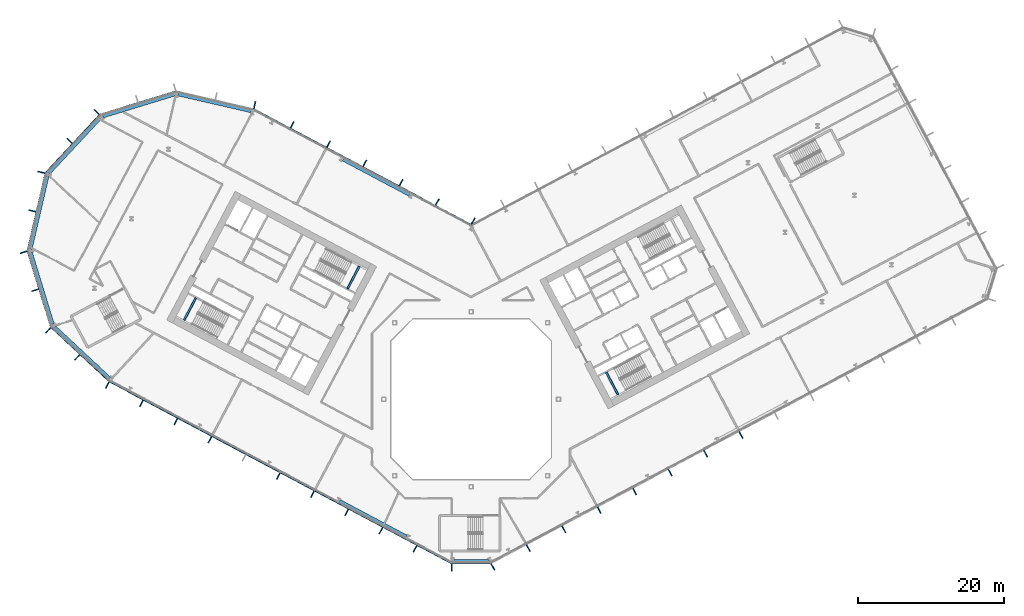
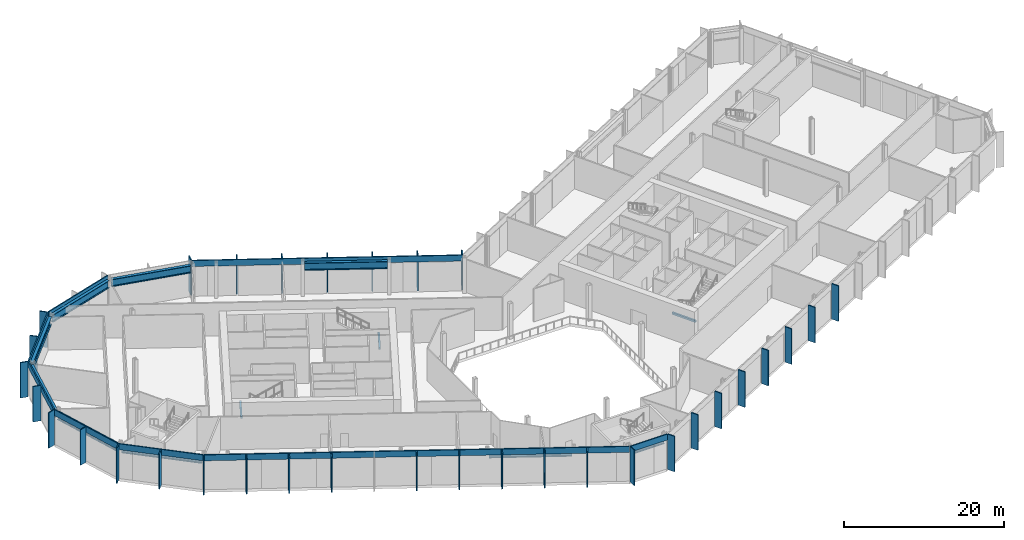
# One storey, part 6 of 32: 41 members, 12 beams, 10 elements without a shape of their own.
"""IFC4 building model written with IfcOpenShell, lengths in metres."""

from ifc_helpers import new_model, si_unit, direction, frame, origin, origin_2d, place, context, subcontext, project, spatial, rectangle, i_section, extrude, material, layer, layer_set, material_profile, profile_set, type_object, element, aggregate, save


model = new_model("IFC4")

# Units and contexts
model_context = context("Model", 3, precision=1e-05, world=origin(), true_north=direction((0.0, 1.0)))
body_context = subcontext(model_context, "Body", "Model", "MODEL_VIEW")
ifc_project = project(units=[si_unit("LENGTHUNIT", "METRE"), si_unit("AREAUNIT", "SQUARE_METRE"), si_unit("VOLUMEUNIT", "CUBIC_METRE"), si_unit("PLANEANGLEUNIT", "RADIAN"), si_unit("MASSUNIT", "GRAM", prefix="KILO")], contexts=[model_context])

# Site, building, storey
site_placement = place(None, origin())
site = spatial("IfcSite", under=ifc_project, at=site_placement, CompositionType="ELEMENT")
building_placement = place(site_placement, origin())
building = spatial("IfcBuilding", under=site, at=building_placement, Name="Cormorant Relay Tower", CompositionType="ELEMENT")
storey_placement = place(building_placement, frame((0.0, 0.0, 60.800048828125)))
storey = spatial("IfcBuildingStorey", under=building, at=storey_placement, Name="L11", CompositionType="ELEMENT", Elevation=60.800048828125)

# Curtain wall, member
ifc_material_1 = material(Name="Aluminium 6063-T6 anodised bronze", Category="aluminium")
ifc_layer = layer(ifc_material_1, 0.235107421875)
ifc_layer_set = layer_set([ifc_layer], Name="CW6 data hall curtain wall with mineral wool panels")
curtain_wall_type = type_object("IfcCurtainWallType", Name="CW6 data hall curtain wall with mineral wool panels", PredefinedType="NOTDEFINED", material=ifc_layer_set)
curtain_wall_1_placement = place(storey_placement, origin())
curtain_wall_1 = element("IfcCurtainWall", 1, at=curtain_wall_1_placement, inside=storey, type_object=curtain_wall_type, Name="CW6 curtain wall 1", PredefinedType="NOTDEFINED")
ifc_material_2 = material(Name="Aluminium 6063-T6 anodised bronze", Category="aluminium")
ifc_material_profile_1 = material_profile(ifc_material_2, rectangle(XDim=0.14990234375, YDim=1.0, at=origin_2d()), Name="AL 150x1000")
ifc_profile_set_1 = profile_set([ifc_material_profile_1], Name="Aluminium 6063-T6 anodised bronze")
member_type_1 = type_object("IfcMemberType", Name="CW6 bronze fin mullion 150 x 1000", PredefinedType="MULLION", material=ifc_profile_set_1)
member_1_placement = place(storey_placement, frame((-2.648681640625, -23.110595703125, 0.0), z_axis=(0.0, 0.0, 1.0), x_axis=(1.0, 0.0, 0.0)))
member_1 = element("IfcMember", 2, at=member_1_placement, type_object=member_type_1, Name="CW6 fin 1.1", PredefinedType="MULLION", context=body_context, shape_type="SweptSolid", body=[
    extrude(rectangle(XDim=0.14990234375, YDim=1.0, at=origin_2d()), origin(), (0.0, 0.0, 1.0), 5.39990234375),
])

# Curtain wall, members
curtain_wall_2_placement = place(storey_placement, origin())
curtain_wall_2 = element("IfcCurtainWall", 3, at=curtain_wall_2_placement, inside=storey, type_object=curtain_wall_type, Name="CW6 curtain wall 2", PredefinedType="NOTDEFINED")
member_2_placement = place(storey_placement, frame((2.993896484375, -23.0244140625, 0.0), z_axis=(0.0, 0.0, 1.0), x_axis=(0.882947592859, 0.469471562786, 0.0)))
member_2 = element("IfcMember", 4, at=member_2_placement, type_object=member_type_1, Name="CW6 fin 2.1", PredefinedType="MULLION", context=body_context, shape_type="SweptSolid", body=[
    extrude(rectangle(XDim=0.14990234375, YDim=1.0, at=origin_2d()), origin(), (0.0, 0.0, 1.0), 5.39990234375),
])
member_3_placement = place(storey_placement, frame((7.860595703125, -20.43701171875, 0.0), z_axis=(0.0, 0.0, 1.0), x_axis=(0.882947592859, 0.469471562786, 0.0)))
member_3 = element("IfcMember", 5, at=member_3_placement, type_object=member_type_1, Name="CW6 fin 2.2", PredefinedType="MULLION", context=body_context, shape_type="SweptSolid", body=[
    extrude(rectangle(XDim=0.14990234375, YDim=1.0, at=origin_2d()), origin(), (0.0, 0.0, 1.0), 5.39990234375),
])
member_4_placement = place(storey_placement, frame((12.727294921875, -17.84912109375, 0.0), z_axis=(0.0, 0.0, 1.0), x_axis=(0.882947592859, 0.469471562786, 0.0)))
member_4 = element("IfcMember", 6, at=member_4_placement, type_object=member_type_1, Name="CW6 fin 2.3", PredefinedType="MULLION", context=body_context, shape_type="SweptSolid", body=[
    extrude(rectangle(XDim=0.14990234375, YDim=1.0, at=origin_2d()), origin(), (0.0, 0.0, 1.0), 5.39990234375),
])
member_5_placement = place(storey_placement, frame((17.593994140625, -15.26171875, 0.0), z_axis=(0.0, 0.0, 1.0), x_axis=(0.882947592859, 0.469471562786, 0.0)))
member_5 = element("IfcMember", 7, at=member_5_placement, type_object=member_type_1, Name="CW6 fin 2.4", PredefinedType="MULLION", context=body_context, shape_type="SweptSolid", body=[
    extrude(rectangle(XDim=0.14990234375, YDim=1.0, at=origin_2d()), origin(), (0.0, 0.0, 1.0), 5.39990234375),
])
member_6_placement = place(storey_placement, frame((22.460693359375, -12.673828125, 0.0), z_axis=(0.0, 0.0, 1.0), x_axis=(0.882947592859, 0.469471562786, 0.0)))
member_6 = element("IfcMember", 8, at=member_6_placement, type_object=member_type_1, Name="CW6 fin 2.5", PredefinedType="MULLION", context=body_context, shape_type="SweptSolid", body=[
    extrude(rectangle(XDim=0.14990234375, YDim=1.0, at=origin_2d()), origin(), (0.0, 0.0, 1.0), 5.39990234375),
])
member_7_placement = place(storey_placement, frame((27.327392578125, -10.086181640625, 0.0), z_axis=(0.0, 0.0, 1.0), x_axis=(0.882947592859, 0.469471562786, 0.0)))
member_7 = element("IfcMember", 9, at=member_7_placement, type_object=member_type_1, Name="CW6 fin 2.6", PredefinedType="MULLION", context=body_context, shape_type="SweptSolid", body=[
    extrude(rectangle(XDim=0.14990234375, YDim=1.0, at=origin_2d()), origin(), (0.0, 0.0, 1.0), 5.39990234375),
])
member_8_placement = place(storey_placement, frame((32.194091796875, -7.49853515625, 0.0), z_axis=(0.0, 0.0, 1.0), x_axis=(0.882947592859, 0.469471562786, 0.0)))
member_8 = element("IfcMember", 10, at=member_8_placement, type_object=member_type_1, Name="CW6 fin 2.7", PredefinedType="MULLION", context=body_context, shape_type="SweptSolid", body=[
    extrude(rectangle(XDim=0.14990234375, YDim=1.0, at=origin_2d()), origin(), (0.0, 0.0, 1.0), 5.39990234375),
])
member_9_placement = place(storey_placement, frame((37.060546875, -4.910888671875, 0.0), z_axis=(0.0, 0.0, 1.0), x_axis=(0.882947592859, 0.469471562786, 0.0)))
member_9 = element("IfcMember", 11, at=member_9_placement, type_object=member_type_1, Name="CW6 fin 2.8", PredefinedType="MULLION", context=body_context, shape_type="SweptSolid", body=[
    extrude(rectangle(XDim=0.14990234375, YDim=1.0, at=origin_2d()), origin(), (0.0, 0.0, 1.0), 5.39990234375),
])
aggregate(curtain_wall_2, [member_2, member_3, member_4, member_5, member_6, member_7, member_8, member_9])

curtain_wall_3_placement = place(storey_placement, origin())
curtain_wall_3 = element("IfcCurtainWall", 12, at=curtain_wall_3_placement, inside=storey, type_object=curtain_wall_type, Name="CW6 curtain wall 7", PredefinedType="NOTDEFINED")
member_10_placement = place(storey_placement, frame((0.27880859375, 24.468017578125, 0.0), z_axis=(0.0, 0.0, 1.0), x_axis=(-0.882947592859, 0.469471562786, 0.0)))
member_10 = element("IfcMember", 13, at=member_10_placement, type_object=member_type_1, Name="CW6 fin 7.1", PredefinedType="MULLION", context=body_context, shape_type="SweptSolid", body=[
    extrude(rectangle(XDim=0.14990234375, YDim=1.0, at=origin_2d()), origin(), (0.0, 0.0, 1.0), 5.39990234375),
])
member_11_placement = place(storey_placement, frame((-4.6337890625, 27.080322265625, 0.0), z_axis=(0.0, 0.0, 1.0), x_axis=(-0.882947592859, 0.469471562786, 0.0)))
member_11 = element("IfcMember", 14, at=member_11_placement, type_object=member_type_1, Name="CW6 fin 7.2", PredefinedType="MULLION", context=body_context, shape_type="SweptSolid", body=[
    extrude(rectangle(XDim=0.14990234375, YDim=1.0, at=origin_2d()), origin(), (0.0, 0.0, 1.0), 5.39990234375),
])
member_12_placement = place(storey_placement, frame((-9.61279296875, 29.727783203125, 0.0), z_axis=(0.0, 0.0, 1.0), x_axis=(-0.882947592859, 0.469471562786, 0.0)))
member_12 = element("IfcMember", 15, at=member_12_placement, type_object=member_type_1, Name="CW6 fin 7.3", PredefinedType="MULLION", context=body_context, shape_type="SweptSolid", body=[
    extrude(rectangle(XDim=0.14990234375, YDim=1.0, at=origin_2d()), origin(), (0.0, 0.0, 1.0), 5.39990234375),
])
member_13_placement = place(storey_placement, frame((-14.591796875, 32.375, 0.0), z_axis=(0.0, 0.0, 1.0), x_axis=(-0.882947592859, 0.469471562786, 0.0)))
member_13 = element("IfcMember", 16, at=member_13_placement, type_object=member_type_1, Name="CW6 fin 7.4", PredefinedType="MULLION", context=body_context, shape_type="SweptSolid", body=[
    extrude(rectangle(XDim=0.14990234375, YDim=1.0, at=origin_2d()), origin(), (0.0, 0.0, 1.0), 5.39990234375),
])
member_14_placement = place(storey_placement, frame((-19.57080078125, 35.0224609375, 0.0), z_axis=(0.0, 0.0, 1.0), x_axis=(-0.882947592859, 0.469471562786, 0.0)))
member_14 = element("IfcMember", 17, at=member_14_placement, type_object=member_type_1, Name="CW6 fin 7.5", PredefinedType="MULLION", context=body_context, shape_type="SweptSolid", body=[
    extrude(rectangle(XDim=0.14990234375, YDim=1.0, at=origin_2d()), origin(), (0.0, 0.0, 1.0), 5.39990234375),
])
member_15_placement = place(storey_placement, frame((-24.5498046875, 37.669677734375, 0.0), z_axis=(0.0, 0.0, 1.0), x_axis=(-0.882947592859, 0.469471562786, 0.0)))
member_15 = element("IfcMember", 18, at=member_15_placement, type_object=member_type_1, Name="CW6 fin 7.6", PredefinedType="MULLION", context=body_context, shape_type="SweptSolid", body=[
    extrude(rectangle(XDim=0.14990234375, YDim=1.0, at=origin_2d()), origin(), (0.0, 0.0, 1.0), 5.39990234375),
])

# Curtain wall, member
curtain_wall_4_placement = place(storey_placement, origin())
curtain_wall_4 = element("IfcCurtainWall", 19, at=curtain_wall_4_placement, inside=storey, type_object=curtain_wall_type, Name="CW6 curtain wall 8", PredefinedType="NOTDEFINED")
member_16_placement = place(storey_placement, frame((-29.70849609375, 40.38427734375, 0.0), z_axis=(0.0, 0.0, 1.0), x_axis=(-0.974370064785, 0.224951054344, 0.0)))
member_16 = element("IfcMember", 20, at=member_16_placement, type_object=member_type_1, Name="CW6 fin 8.1", PredefinedType="MULLION", context=body_context, shape_type="SweptSolid", body=[
    extrude(rectangle(XDim=0.14990234375, YDim=1.0, at=origin_2d()), origin(), (0.0, 0.0, 1.0), 5.39990234375),
])
aggregate(curtain_wall_4, [member_16])

# Curtain wall, members
curtain_wall_5_placement = place(storey_placement, origin())
curtain_wall_5 = element("IfcCurtainWall", 21, at=curtain_wall_5_placement, inside=storey, type_object=curtain_wall_type, Name="CW6 curtain wall 10", PredefinedType="NOTDEFINED")
member_17_placement = place(storey_placement, frame((-51.3984375, 39.4365234375, 0.0), z_axis=(0.0, 0.0, 1.0), x_axis=(-0.681998360062, -0.731353701619, 0.0)))
member_17 = element("IfcMember", 22, at=member_17_placement, type_object=member_type_1, Name="CW6 fin 10.1", PredefinedType="MULLION", context=body_context, shape_type="SweptSolid", body=[
    extrude(rectangle(XDim=0.14990234375, YDim=1.0, at=origin_2d()), origin(), (0.0, 0.0, 1.0), 5.39990234375),
])
member_18_placement = place(storey_placement, frame((-55.105224609375, 35.46142578125, 0.0), z_axis=(0.0, 0.0, 1.0), x_axis=(-0.681998360062, -0.731353701619, 0.0)))
member_18 = element("IfcMember", 23, at=member_18_placement, type_object=member_type_1, Name="CW6 fin 10.2", PredefinedType="MULLION", context=body_context, shape_type="SweptSolid", body=[
    extrude(rectangle(XDim=0.14990234375, YDim=1.0, at=origin_2d()), origin(), (0.0, 0.0, 1.0), 5.39990234375),
])

curtain_wall_6_placement = place(storey_placement, origin())
curtain_wall_6 = element("IfcCurtainWall", 24, at=curtain_wall_6_placement, inside=storey, type_object=curtain_wall_type, Name="CW6 curtain wall 11", PredefinedType="NOTDEFINED")
member_19_placement = place(storey_placement, frame((-58.99072265625, 31.150390625, 0.0), z_axis=(0.0, 0.0, 1.0), x_axis=(-0.224951054344, -0.974370064785, 0.0)))
member_19 = element("IfcMember", 25, at=member_19_placement, type_object=member_type_1, Name="CW6 fin 11.1", PredefinedType="MULLION", context=body_context, shape_type="SweptSolid", body=[
    extrude(rectangle(XDim=0.14990234375, YDim=1.0, at=origin_2d()), origin(), (0.0, 0.0, 1.0), 5.39990234375),
])
member_20_placement = place(storey_placement, frame((-60.21337890625, 25.8544921875, 0.0), z_axis=(0.0, 0.0, 1.0), x_axis=(-0.224951054344, -0.974370064785, 0.0)))
member_20 = element("IfcMember", 26, at=member_20_placement, type_object=member_type_1, Name="CW6 fin 11.2", PredefinedType="MULLION", context=body_context, shape_type="SweptSolid", body=[
    extrude(rectangle(XDim=0.14990234375, YDim=1.0, at=origin_2d()), origin(), (0.0, 0.0, 1.0), 5.39990234375),
])

curtain_wall_7_placement = place(storey_placement, origin())
curtain_wall_7 = element("IfcCurtainWall", 27, at=curtain_wall_7_placement, inside=storey, type_object=curtain_wall_type, Name="CW6 curtain wall 12", PredefinedType="NOTDEFINED")
member_21_placement = place(storey_placement, frame((-61.422607421875, 20.178466796875, 0.0), z_axis=(0.0, 0.0, 1.0), x_axis=(0.292371704723, -0.956304755963, 0.0)))
member_21 = element("IfcMember", 28, at=member_21_placement, type_object=member_type_1, Name="CW6 fin 12.1", PredefinedType="MULLION", context=body_context, shape_type="SweptSolid", body=[
    extrude(rectangle(XDim=0.14990234375, YDim=1.0, at=origin_2d()), origin(), (0.0, 0.0, 1.0), 5.39990234375),
])
member_22_placement = place(storey_placement, frame((-59.83349609375, 14.980712890625, 0.0), z_axis=(0.0, 0.0, 1.0), x_axis=(0.292371704723, -0.956304755963, 0.0)))
member_22 = element("IfcMember", 29, at=member_22_placement, type_object=member_type_1, Name="CW6 fin 12.2", PredefinedType="MULLION", context=body_context, shape_type="SweptSolid", body=[
    extrude(rectangle(XDim=0.14990234375, YDim=1.0, at=origin_2d()), origin(), (0.0, 0.0, 1.0), 5.39990234375),
])

curtain_wall_8_placement = place(storey_placement, origin())
curtain_wall_8 = element("IfcCurtainWall", 30, at=curtain_wall_8_placement, inside=storey, type_object=curtain_wall_type, Name="CW6 curtain wall 13", PredefinedType="NOTDEFINED")
member_23_placement = place(storey_placement, frame((-58.04296875, 9.46044921875, 0.0), z_axis=(0.0, 0.0, 1.0), x_axis=(0.731353701619, -0.681998360062, 0.0)))
member_23 = element("IfcMember", 31, at=member_23_placement, type_object=member_type_1, Name="CW6 fin 13.1", PredefinedType="MULLION", context=body_context, shape_type="SweptSolid", body=[
    extrude(rectangle(XDim=0.14990234375, YDim=1.0, at=origin_2d()), origin(), (0.0, 0.0, 1.0), 5.39990234375),
])
member_24_placement = place(storey_placement, frame((-54.06787109375, 5.753662109375, 0.0), z_axis=(0.0, 0.0, 1.0), x_axis=(0.731353701619, -0.681998360062, 0.0)))
member_24 = element("IfcMember", 32, at=member_24_placement, type_object=member_type_1, Name="CW6 fin 13.2", PredefinedType="MULLION", context=body_context, shape_type="SweptSolid", body=[
    extrude(rectangle(XDim=0.14990234375, YDim=1.0, at=origin_2d()), origin(), (0.0, 0.0, 1.0), 5.39990234375),
])

curtain_wall_9_placement = place(storey_placement, origin())
curtain_wall_9 = element("IfcCurtainWall", 33, at=curtain_wall_9_placement, inside=storey, type_object=curtain_wall_type, Name="CW6 curtain wall 14", PredefinedType="NOTDEFINED")
member_25_placement = place(storey_placement, frame((-49.9365234375, 1.935302734375, 0.0), z_axis=(0.0, 0.0, 1.0), x_axis=(0.882947592859, -0.469471562786, 0.0)))
member_25 = element("IfcMember", 34, at=member_25_placement, type_object=member_type_1, Name="CW6 fin 14.1", PredefinedType="MULLION", context=body_context, shape_type="SweptSolid", body=[
    extrude(rectangle(XDim=0.14990234375, YDim=1.0, at=origin_2d()), origin(), (0.0, 0.0, 1.0), 5.39990234375),
])
member_26_placement = place(storey_placement, frame((-45.2421875, -0.560546875, 0.0), z_axis=(0.0, 0.0, 1.0), x_axis=(0.882947592859, -0.469471562786, 0.0)))
member_26 = element("IfcMember", 35, at=member_26_placement, type_object=member_type_1, Name="CW6 fin 14.2", PredefinedType="MULLION", context=body_context, shape_type="SweptSolid", body=[
    extrude(rectangle(XDim=0.14990234375, YDim=1.0, at=origin_2d()), origin(), (0.0, 0.0, 1.0), 5.39990234375),
])
member_27_placement = place(storey_placement, frame((-40.548095703125, -3.056640625, 0.0), z_axis=(0.0, 0.0, 1.0), x_axis=(0.882947592859, -0.469471562786, 0.0)))
member_27 = element("IfcMember", 36, at=member_27_placement, type_object=member_type_1, Name="CW6 fin 14.3", PredefinedType="MULLION", context=body_context, shape_type="SweptSolid", body=[
    extrude(rectangle(XDim=0.14990234375, YDim=1.0, at=origin_2d()), origin(), (0.0, 0.0, 1.0), 5.39990234375),
])
member_28_placement = place(storey_placement, frame((-35.853759765625, -5.552490234375, 0.0), z_axis=(0.0, 0.0, 1.0), x_axis=(0.882947592859, -0.469471562786, 0.0)))
member_28 = element("IfcMember", 37, at=member_28_placement, type_object=member_type_1, Name="CW6 fin 14.4", PredefinedType="MULLION", context=body_context, shape_type="SweptSolid", body=[
    extrude(rectangle(XDim=0.14990234375, YDim=1.0, at=origin_2d()), origin(), (0.0, 0.0, 1.0), 5.39990234375),
])
member_29_placement = place(storey_placement, frame((-26.46533203125, -10.544677734375, 0.0), z_axis=(0.0, 0.0, 1.0), x_axis=(0.882947592859, -0.469471562786, 0.0)))
member_29 = element("IfcMember", 38, at=member_29_placement, type_object=member_type_1, Name="CW6 fin 14.6", PredefinedType="MULLION", context=body_context, shape_type="SweptSolid", body=[
    extrude(rectangle(XDim=0.14990234375, YDim=1.0, at=origin_2d()), origin(), (0.0, 0.0, 1.0), 5.39990234375),
])
member_30_placement = place(storey_placement, frame((-21.77099609375, -13.04052734375, 0.0), z_axis=(0.0, 0.0, 1.0), x_axis=(0.882947592859, -0.469471562786, 0.0)))
member_30 = element("IfcMember", 39, at=member_30_placement, type_object=member_type_1, Name="CW6 fin 14.7", PredefinedType="MULLION", context=body_context, shape_type="SweptSolid", body=[
    extrude(rectangle(XDim=0.14990234375, YDim=1.0, at=origin_2d()), origin(), (0.0, 0.0, 1.0), 5.39990234375),
])
member_31_placement = place(storey_placement, frame((-17.07666015625, -15.53662109375, 0.0), z_axis=(0.0, 0.0, 1.0), x_axis=(0.882947592859, -0.469471562786, 0.0)))
member_31 = element("IfcMember", 40, at=member_31_placement, type_object=member_type_1, Name="CW6 fin 14.8", PredefinedType="MULLION", context=body_context, shape_type="SweptSolid", body=[
    extrude(rectangle(XDim=0.14990234375, YDim=1.0, at=origin_2d()), origin(), (0.0, 0.0, 1.0), 5.39990234375),
])
member_32_placement = place(storey_placement, frame((-12.38232421875, -18.032470703125, 0.0), z_axis=(0.0, 0.0, 1.0), x_axis=(0.882947592859, -0.469471562786, 0.0)))
member_32 = element("IfcMember", 41, at=member_32_placement, type_object=member_type_1, Name="CW6 fin 14.9", PredefinedType="MULLION", context=body_context, shape_type="SweptSolid", body=[
    extrude(rectangle(XDim=0.14990234375, YDim=1.0, at=origin_2d()), origin(), (0.0, 0.0, 1.0), 5.39990234375),
])
member_33_placement = place(storey_placement, frame((-7.688232421875, -20.528564453125, 0.0), z_axis=(0.0, 0.0, 1.0), x_axis=(0.882947592859, -0.469471562786, 0.0)))
member_33 = element("IfcMember", 42, at=member_33_placement, type_object=member_type_1, Name="CW6 fin 14.10", PredefinedType="MULLION", context=body_context, shape_type="SweptSolid", body=[
    extrude(rectangle(XDim=0.14990234375, YDim=1.0, at=origin_2d()), origin(), (0.0, 0.0, 1.0), 5.39990234375),
])

# Member
ifc_material_3 = material(Name="Aluminium 6063-T6 anodised bronze", Category="aluminium")
ifc_material_profile_2 = material_profile(ifc_material_3, rectangle(XDim=0.159912109375, YDim=0.89990234375, at=origin_2d()), Name="AL 160x900")
ifc_profile_set_2 = profile_set([ifc_material_profile_2], Name="Aluminium 6063-T6 anodised bronze")
member_type_2 = type_object("IfcMemberType", Name="CW6 bronze transom 160 x 900", PredefinedType="USERDEFINED", material=ifc_profile_set_2)
member_34_placement = place(storey_placement, frame((-2.648681640625, -22.530517578125, 4.949951171875), z_axis=(1.0, 0.0, 0.0), x_axis=(0.0, 1.0, 0.0)))
member_34 = element("IfcMember", 43, at=member_34_placement, type_object=member_type_2, Name="CW6 transom 1", ObjectType="TRANSOM", PredefinedType="USERDEFINED", context=body_context, shape_type="SweptSolid", body=[
    extrude(rectangle(XDim=0.159912109375, YDim=0.89990234375, at=origin_2d()), origin(), (0.0, 0.0, 1.0), 5.29736328125),
])

aggregate(curtain_wall_1, [member_1, member_34])

member_35_placement = place(storey_placement, frame((0.07275390625, 23.9208984375, 4.949951171875), z_axis=(-0.882949271414, 0.46946840587, 0.0), x_axis=(-0.46946840587, -0.882949271414, 0.0)))
member_35 = element("IfcMember", 44, at=member_35_placement, type_object=member_type_2, Name="CW6 transom 7", ObjectType="TRANSOM", PredefinedType="USERDEFINED", context=body_context, shape_type="SweptSolid", body=[
    extrude(rectangle(XDim=0.159912109375, YDim=0.89990234375, at=origin_2d()), origin(), (0.0, 0.0, 1.0), 33.833984375),
])

aggregate(curtain_wall_3, [member_10, member_11, member_12, member_13, member_14, member_15, member_35])

# Curtain wall, member
curtain_wall_10_placement = place(storey_placement, origin())
curtain_wall_10 = element("IfcCurtainWall", 45, at=curtain_wall_10_placement, inside=storey, type_object=curtain_wall_type, Name="CW6 curtain wall 9", PredefinedType="NOTDEFINED")
member_36_placement = place(storey_placement, frame((-40.5107421875, 42.26171875, 4.949951171875), z_axis=(-0.956304833932, -0.292371449698, 0.0), x_axis=(0.292371449698, -0.956304833932, 0.0)))
member_36 = element("IfcMember", 46, at=member_36_placement, type_object=member_type_2, Name="CW6 transom 9", ObjectType="TRANSOM", PredefinedType="USERDEFINED", context=body_context, shape_type="SweptSolid", body=[
    extrude(rectangle(XDim=0.159912109375, YDim=0.89990234375, at=origin_2d()), origin(), (0.0, 0.0, 1.0), 10.87060546875),
])
aggregate(curtain_wall_10, [member_36])

# Member
member_37_placement = place(storey_placement, frame((-50.974365234375, 39.041015625, 4.949951171875), z_axis=(-0.681993299437, -0.731358420696, 0.0), x_axis=(0.731358420696, -0.681993299437, 0.0)))
member_37 = element("IfcMember", 47, at=member_37_placement, type_object=member_type_2, Name="CW6 transom 10", ObjectType="TRANSOM", PredefinedType="USERDEFINED", context=body_context, shape_type="SweptSolid", body=[
    extrude(rectangle(XDim=0.159912109375, YDim=0.89990234375, at=origin_2d()), origin(), (0.0, 0.0, 1.0), 10.870361328125),
])

aggregate(curtain_wall_5, [member_17, member_18, member_37])

member_38_placement = place(storey_placement, frame((-58.425537109375, 31.02001953125, 4.949951171875), z_axis=(-0.22495136131, -0.974369993916, 0.0), x_axis=(0.974369993916, -0.22495136131, 0.0)))
member_38 = element("IfcMember", 48, at=member_38_placement, type_object=member_type_2, Name="CW6 transom 11", ObjectType="TRANSOM", PredefinedType="USERDEFINED", context=body_context, shape_type="SweptSolid", body=[
    extrude(rectangle(XDim=0.159912109375, YDim=0.89990234375, at=origin_2d()), origin(), (0.0, 0.0, 1.0), 10.870361328125),
])

aggregate(curtain_wall_6, [member_19, member_20, member_38])

member_39_placement = place(storey_placement, frame((-60.8681640625, 20.347900390625, 4.949951171875), z_axis=(0.292377729282, -0.95630291405, 0.0), x_axis=(0.95630291405, 0.292377729282, 0.0)))
member_39 = element("IfcMember", 49, at=member_39_placement, type_object=member_type_2, Name="CW6 transom 12", ObjectType="TRANSOM", PredefinedType="USERDEFINED", context=body_context, shape_type="SweptSolid", body=[
    extrude(rectangle(XDim=0.159912109375, YDim=0.89990234375, at=origin_2d()), origin(), (0.0, 0.0, 1.0), 10.870361328125),
])

aggregate(curtain_wall_7, [member_21, member_22, member_39])

member_40_placement = place(storey_placement, frame((-57.6474609375, 9.884521484375, 4.949951171875), z_axis=(0.731358420696, -0.681993299437, 0.0), x_axis=(0.681993299437, 0.731358420696, 0.0)))
member_40 = element("IfcMember", 50, at=member_40_placement, type_object=member_type_2, Name="CW6 transom 13", ObjectType="TRANSOM", PredefinedType="USERDEFINED", context=body_context, shape_type="SweptSolid", body=[
    extrude(rectangle(XDim=0.159912109375, YDim=0.89990234375, at=origin_2d()), origin(), (0.0, 0.0, 1.0), 10.870361328125),
])

aggregate(curtain_wall_8, [member_23, member_24, member_40])

member_41_placement = place(storey_placement, frame((-49.664306640625, 2.447509765625, 4.949951171875), z_axis=(0.882946630435, -0.469473372838, 0.0), x_axis=(0.469473372838, 0.882946630435, 0.0)))
member_41 = element("IfcMember", 51, at=member_41_placement, type_object=member_type_2, Name="CW6 transom 14", ObjectType="TRANSOM", PredefinedType="USERDEFINED", context=body_context, shape_type="SweptSolid", body=[
    extrude(rectangle(XDim=0.159912109375, YDim=0.89990234375, at=origin_2d()), origin(), (0.0, 0.0, 1.0), 53.165771484375),
])

aggregate(curtain_wall_9, [member_25, member_26, member_27, member_28, member_29, member_30, member_31, member_32, member_33, member_41])

# Beams
ifc_material_4 = material(Name="Steel ASTM A992 (Fy 345 MPa)", Category="steel")
ifc_material_profile_3 = material_profile(ifc_material_4, i_section(OverallWidth=0.408935546875, OverallDepth=1.137939453125, WebThickness=0.031005859375, FlangeThickness=0.05517578125, FilletRadius=0.02001953125, at=origin_2d()), Name="W1100x607")
ifc_profile_set_3 = profile_set([ifc_material_profile_3], Name="Steel ASTM A992 (Fy 345 MPa)")
beam_type_1 = type_object("IfcBeamType", Name="Spandrel W1100x607", PredefinedType="SPANDREL", material=ifc_profile_set_3)
beam_1_placement = place(storey_placement, frame((-2.331787109375, -22.171142578125, 4.430908203125), z_axis=(1.0, 0.0, 0.0), x_axis=(0.0, 1.0, 0.0)))
element("IfcBeam", 52, at=beam_1_placement, inside=storey, type_object=beam_type_1, Name="Spandrel beam L11-001", PredefinedType="SPANDREL", context=body_context, shape_type="SweptSolid", body=[
    extrude(i_section(OverallWidth=0.408935546875, OverallDepth=1.137939453125, WebThickness=0.031005859375, FlangeThickness=0.05517578125, FilletRadius=0.02001953125, at=origin_2d()), origin(), (0.0, 0.0, 1.0), 4.71533203125),
])
beam_2_placement = place(storey_placement, frame((-8.442138671875, 28.041015625, 4.430908203125), z_axis=(-0.882941792792, 0.469482470963, 0.0), x_axis=(-0.469482470963, -0.882941792792, 0.0)))
element("IfcBeam", 53, at=beam_2_placement, inside=storey, type_object=beam_type_1, Name="Spandrel beam L11-007", PredefinedType="SPANDREL", context=body_context, shape_type="SweptSolid", body=[
    extrude(i_section(OverallWidth=0.408935546875, OverallDepth=1.137939453125, WebThickness=0.031005859375, FlangeThickness=0.05517578125, FilletRadius=0.02001953125, at=origin_2d()), origin(), (0.0, 0.0, 1.0), 10.363037109375),
])
beam_3_placement = place(storey_placement, frame((-30.184814453125, 39.530029296875, 4.430908203125), z_axis=(-0.974369683491, 0.224952705905, 0.0), x_axis=(-0.224952705905, -0.974369683491, 0.0)))
element("IfcBeam", 54, at=beam_3_placement, inside=storey, type_object=beam_type_1, Name="Spandrel beam L11-008", PredefinedType="SPANDREL", context=body_context, shape_type="SweptSolid", body=[
    extrude(i_section(OverallWidth=0.408935546875, OverallDepth=1.137939453125, WebThickness=0.031005859375, FlangeThickness=0.05517578125, FilletRadius=0.02001953125, at=origin_2d()), origin(), (0.0, 0.0, 1.0), 10.3310546875),
])
beam_4_placement = place(storey_placement, frame((-40.716796875, 41.82275390625, 4.430908203125), z_axis=(-0.956304908485, -0.292371205845, 0.0), x_axis=(0.292371205845, -0.956304908485, 0.0)))
element("IfcBeam", 55, at=beam_4_placement, inside=storey, type_object=beam_type_1, Name="Spandrel beam L11-009", PredefinedType="SPANDREL", context=body_context, shape_type="SweptSolid", body=[
    extrude(i_section(OverallWidth=0.408935546875, OverallDepth=1.137939453125, WebThickness=0.031005859375, FlangeThickness=0.05517578125, FilletRadius=0.02001953125, at=origin_2d()), origin(), (0.0, 0.0, 1.0), 10.278564453125),
])
beam_5_placement = place(storey_placement, frame((-50.93359375, 38.557373046875, 4.430908203125), z_axis=(-0.682005863937, -0.731346704071, 0.0), x_axis=(0.731346704071, -0.682005863937, 0.0)))
element("IfcBeam", 56, at=beam_5_placement, inside=storey, type_object=beam_type_1, Name="Spandrel beam L11-010", PredefinedType="SPANDREL", context=body_context, shape_type="SweptSolid", body=[
    extrude(i_section(OverallWidth=0.408935546875, OverallDepth=1.137939453125, WebThickness=0.031005859375, FlangeThickness=0.05517578125, FilletRadius=0.02001953125, at=origin_2d()), origin(), (0.0, 0.0, 1.0), 10.277099609375),
])
beam_6_placement = place(storey_placement, frame((-58.1484375, 30.6220703125, 4.430908203125), z_axis=(-0.224956659484, -0.97436877072, 0.0), x_axis=(0.97436877072, -0.224956659484, 0.0)))
element("IfcBeam", 57, at=beam_6_placement, inside=storey, type_object=beam_type_1, Name="Spandrel beam L11-011", PredefinedType="SPANDREL", context=body_context, shape_type="SweptSolid", body=[
    extrude(i_section(OverallWidth=0.408935546875, OverallDepth=1.137939453125, WebThickness=0.031005859375, FlangeThickness=0.05517578125, FilletRadius=0.02001953125, at=origin_2d()), origin(), (0.0, 0.0, 1.0), 10.277587890625),
])
beam_7_placement = place(storey_placement, frame((-60.42919921875, 20.14208984375, 4.430908203125), z_axis=(0.292364564847, -0.956306938813, 0.0), x_axis=(0.956306938813, 0.292364564847, 0.0)))
element("IfcBeam", 58, at=beam_7_placement, inside=storey, type_object=beam_type_1, Name="Spandrel beam L11-012", PredefinedType="SPANDREL", context=body_context, shape_type="SweptSolid", body=[
    extrude(i_section(OverallWidth=0.408935546875, OverallDepth=1.137939453125, WebThickness=0.031005859375, FlangeThickness=0.05517578125, FilletRadius=0.02001953125, at=origin_2d()), origin(), (0.0, 0.0, 1.0), 10.27880859375),
])
beam_8_placement = place(storey_placement, frame((-57.163818359375, 9.925048828125, 4.430908203125), z_axis=(0.731361805756, -0.681989669336, 0.0), x_axis=(0.681989669336, 0.731361805756, 0.0)))
element("IfcBeam", 59, at=beam_8_placement, inside=storey, type_object=beam_type_1, Name="Spandrel beam L11-013", PredefinedType="SPANDREL", context=body_context, shape_type="SweptSolid", body=[
    extrude(i_section(OverallWidth=0.408935546875, OverallDepth=1.137939453125, WebThickness=0.031005859375, FlangeThickness=0.05517578125, FilletRadius=0.02001953125, at=origin_2d()), origin(), (0.0, 0.0, 1.0), 10.30029296875),
])
beam_9_placement = place(storey_placement, frame((-18.04638671875, -13.95703125, 4.430908203125), z_axis=(0.882942412403, -0.469481305677, 0.0), x_axis=(0.469481305677, 0.882942412403, 0.0)))
element("IfcBeam", 60, at=beam_9_placement, inside=storey, type_object=beam_type_1, Name="Spandrel beam L11-014", PredefinedType="SPANDREL", context=body_context, shape_type="SweptSolid", body=[
    extrude(i_section(OverallWidth=0.408935546875, OverallDepth=1.137939453125, WebThickness=0.031005859375, FlangeThickness=0.05517578125, FilletRadius=0.02001953125, at=origin_2d()), origin(), (0.0, 0.0, 1.0), 10.363525390625),
])
ifc_material_5 = material(Name="Concrete 50 MPa", Category="concrete")
ifc_material_profile_4 = material_profile(ifc_material_5, rectangle(XDim=0.25, YDim=0.300048828125, at=origin_2d()), Name="RC 250x300")
ifc_profile_set_4 = profile_set([ifc_material_profile_4], Name="Concrete 50 MPa")
beam_type_2 = type_object("IfcBeamType", Name="Stair landing ledge beam 250x300", PredefinedType="BEAM", material=ifc_profile_set_4)
for number, where, z_axis, x_axis, name in (
    (61, (-16.9677734375, 15.1943359375, 2.349853515625), (0.469463917486, 0.882951657895, 0.0), (-0.882951657895, 0.469463917486, 0.0), "A1 landing ledge beam"),
    (62, (-37.77490234375, 13.912841796875, 2.349853515625), (-0.469519084434, -0.88292232351, 0.0), (0.88292232351, -0.469519084434, 0.0), "A2 landing ledge beam"),
    (63, (18.55322265625, 3.6923828125, 2.349853515625), (0.469463917486, -0.882951657895, 0.0), (0.882951657895, 0.469463917486, 0.0), "B1 landing ledge beam"),
):
    element("IfcBeam", number, at=place(storey_placement, frame(where, z_axis=z_axis, x_axis=x_axis)), inside=storey, type_object=beam_type_2, Name=name, PredefinedType="BEAM", context=body_context, shape_type="SweptSolid", body=[
        extrude(rectangle(XDim=0.25, YDim=0.300048828125, at=origin_2d()), origin(), (0.0, 0.0, 1.0), 3.449951171875),
    ])

save(model, "model.ifc")
